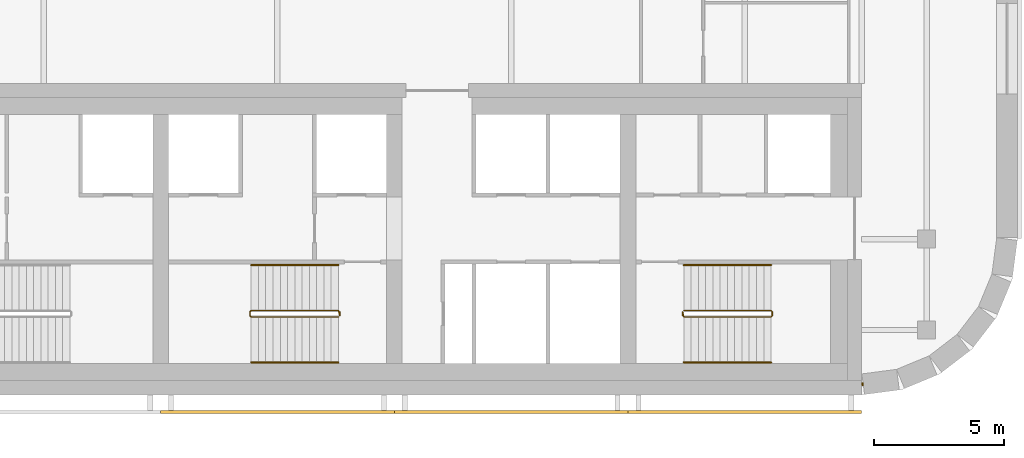
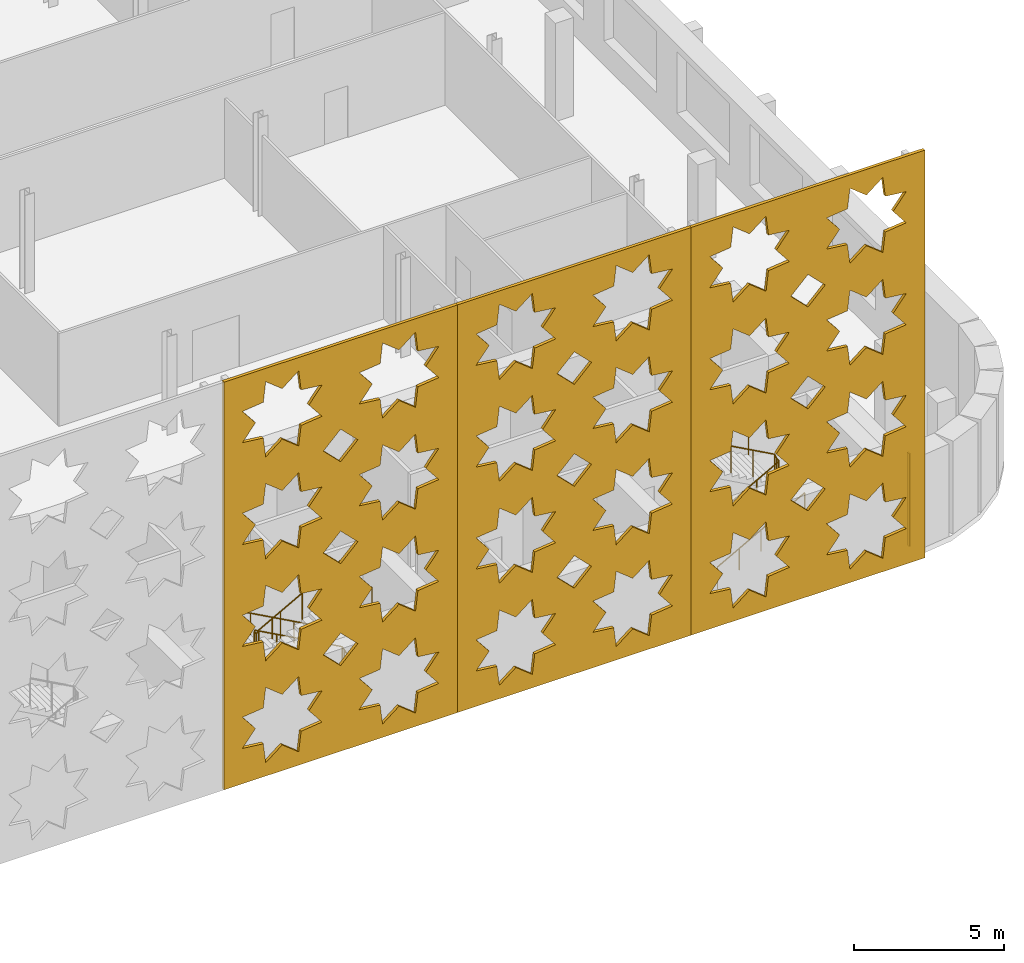
# One storey, part 13 of 14: 6 railings, 4 coverings.
"""IFC4 building model written with IfcOpenShell, lengths in metres."""

from ifc_helpers import new_model, si_unit, direction, frame, origin, origin_2d, place, context, subcontext, project, spatial, polyline, rectangle, circle, outline, extrude, material, layer, layer_set, type_object, element, save


model = new_model("IFC4")

# Units and contexts
model_context = context("Model", 3, precision=1e-05, world=origin(), true_north=direction((0.0, 1.0)))
body_context = subcontext(model_context, "Body", "Model", "MODEL_VIEW")
ifc_project = project(units=[si_unit("LENGTHUNIT", "METRE"), si_unit("AREAUNIT", "SQUARE_METRE"), si_unit("VOLUMEUNIT", "CUBIC_METRE"), si_unit("PLANEANGLEUNIT", "RADIAN"), si_unit("MASSUNIT", "GRAM", prefix="KILO")], contexts=[model_context])

# Site, building, storey
site_placement = place(None, origin())
site = spatial("IfcSite", under=ifc_project, at=site_placement, CompositionType="ELEMENT")
building_placement = place(site_placement, origin())
building = spatial("IfcBuilding", under=site, at=building_placement, Name="Zellij Exchange Tower", CompositionType="ELEMENT")
storey_placement = place(building_placement, frame((0.0, 0.0, 288.5)))
storey = spatial("IfcBuildingStorey", under=building, at=storey_placement, Name="L68", CompositionType="ELEMENT", Elevation=288.5)

# Railings
ifc_material_1 = material(Name="Stainless steel", Category="steel")
railing_type_1 = type_object("IfcRailingType", Name="CORE-RG stair guard", PredefinedType="GUARDRAIL", material=ifc_material_1)
railing_1_placement = place(storey_placement, frame((6.89990234375, -10.800048828125, 0.0)))
element("IfcRailing", 1, at=railing_1_placement, inside=storey, type_object=railing_type_1, Name="ST3 stair guard L68", PredefinedType="GUARDRAIL", context=body_context, shape_type="SweptSolid", body=[
    extrude(circle(Radius=0.02392578125, at=origin_2d()), frame((0.0, 0.0, 1.076171875), z_axis=(0.0, -1.0, 0.0), x_axis=(1.0, 0.0, 0.0)), (0.0, 0.0, 1.0), 0.14990234375),
    extrude(circle(Radius=0.02392578125, at=origin_2d()), frame((0.0, -0.14990234375, 1.076171875), z_axis=(-0.193691321961, 0.777613689637, 0.598164376644), x_axis=(-0.970351222016, -0.241699205484, 0.0)), (0.0, 0.0, 1.0), 0.257080078125),
    extrude(circle(Radius=0.02392578125, at=origin_2d()), frame((-0.0498046875, 0.050048828125, 1.22998046875), z_axis=(-0.876421534553, 0.0, 0.481544695509), x_axis=(0.0, -1.0, 0.0)), (0.0, 0.0, 1.0), 3.833984375),
    extrude(circle(Radius=0.02392578125, at=origin_2d()), frame((-3.409912109375, 0.050048828125, 3.076171875), z_axis=(-0.707106781187, -0.707106781187, 0.0), x_axis=(0.707106781187, -0.707106781187, 0.0)), (0.0, 0.0, 1.0), 0.07080078125),
    extrude(circle(Radius=0.02392578125, at=origin_2d()), frame((-3.4599609375, 0.0, 3.076171875), z_axis=(0.0, -1.0, 0.0), x_axis=(1.0, 0.0, 0.0)), (0.0, 0.0, 1.0), 0.14990234375),
    extrude(circle(Radius=0.02392578125, at=origin_2d()), frame((-3.4599609375, -0.14990234375, 3.076171875), z_axis=(0.295599637079, -0.295599637079, 0.908428152975), x_axis=(0.707106781187, 0.707106781187, 0.0)), (0.0, 0.0, 1.0), 0.16943359375),
    extrude(circle(Radius=0.02392578125, at=origin_2d()), frame((-3.409912109375, -0.199951171875, 3.22998046875), z_axis=(0.876421534553, 0.0, 0.481544695509), x_axis=(0.0, 1.0, 0.0)), (0.0, 0.0, 1.0), 3.833984375),
    extrude(circle(Radius=0.02099609375, at=origin_2d()), origin(), (0.0, 0.0, 1.0), 1.052001953125),
    extrude(circle(Radius=0.02099609375, at=origin_2d()), frame((0.0, -0.14990234375, 0.0)), (0.0, 0.0, 1.0), 1.052001953125),
    extrude(circle(Radius=0.02099609375, at=origin_2d()), frame((-0.0498046875, 0.050048828125, 0.15380859375)), (0.0, 0.0, 1.0), 1.052001953125),
    extrude(circle(Radius=0.02099609375, at=origin_2d()), frame((-0.889892578125, 0.050048828125, 0.615234375)), (0.0, 0.0, 1.0), 1.052001953125),
    extrude(circle(Radius=0.02099609375, at=origin_2d()), frame((-1.72998046875, 0.050048828125, 1.076904296875)), (0.0, 0.0, 1.0), 1.052001953125),
    extrude(circle(Radius=0.02099609375, at=origin_2d()), frame((-2.56982421875, 0.050048828125, 1.53857421875)), (0.0, 0.0, 1.0), 1.052001953125),
    extrude(circle(Radius=0.02099609375, at=origin_2d()), frame((-3.409912109375, 0.050048828125, 2.0)), (0.0, 0.0, 1.0), 1.052001953125),
    extrude(circle(Radius=0.02099609375, at=origin_2d()), frame((-3.4599609375, 0.0, 2.0)), (0.0, 0.0, 1.0), 1.052001953125),
    extrude(circle(Radius=0.02099609375, at=origin_2d()), frame((-3.4599609375, -0.14990234375, 2.0)), (0.0, 0.0, 1.0), 1.052001953125),
    extrude(circle(Radius=0.02099609375, at=origin_2d()), frame((-3.409912109375, -0.199951171875, 2.15380859375)), (0.0, 0.0, 1.0), 1.052001953125),
    extrude(circle(Radius=0.02099609375, at=origin_2d()), frame((-2.56982421875, -0.199951171875, 2.615234375)), (0.0, 0.0, 1.0), 1.052001953125),
    extrude(circle(Radius=0.02099609375, at=origin_2d()), frame((-1.72998046875, -0.199951171875, 3.076904296875)), (0.0, 0.0, 1.0), 1.052001953125),
    extrude(circle(Radius=0.02099609375, at=origin_2d()), frame((-0.889892578125, -0.199951171875, 3.53857421875)), (0.0, 0.0, 1.0), 1.052001953125),
    extrude(circle(Radius=0.02099609375, at=origin_2d()), frame((-0.0498046875, -0.199951171875, 4.0)), (0.0, 0.0, 1.0), 1.052001953125),
])
railing_2_placement = place(storey_placement, frame((20.10009765625, -10.949951171875, 0.0)))
element("IfcRailing", 2, at=railing_2_placement, inside=storey, type_object=railing_type_1, Name="ST4 stair guard L68", PredefinedType="GUARDRAIL", context=body_context, shape_type="SweptSolid", body=[
    extrude(circle(Radius=0.02392578125, at=origin_2d()), frame((0.0, 0.0, 1.076171875), z_axis=(0.0, 1.0, 0.0), x_axis=(-1.0, 0.0, 0.0)), (0.0, 0.0, 1.0), 0.14990234375),
    extrude(circle(Radius=0.02392578125, at=origin_2d()), frame((0.0, 0.14990234375, 1.076171875), z_axis=(0.193691321961, -0.777613689637, 0.598164376644), x_axis=(0.970351222016, 0.241699205484, 0.0)), (0.0, 0.0, 1.0), 0.257080078125),
    extrude(circle(Radius=0.02392578125, at=origin_2d()), frame((0.0498046875, -0.050048828125, 1.22998046875), z_axis=(0.876421534553, 0.0, 0.481544695509), x_axis=(0.0, 1.0, 0.0)), (0.0, 0.0, 1.0), 3.833984375),
    extrude(circle(Radius=0.02392578125, at=origin_2d()), frame((3.409912109375, -0.050048828125, 3.076171875), z_axis=(0.707106781187, 0.707106781187, 0.0), x_axis=(-0.707106781187, 0.707106781187, 0.0)), (0.0, 0.0, 1.0), 0.07080078125),
    extrude(circle(Radius=0.02392578125, at=origin_2d()), frame((3.4599609375, 0.0, 3.076171875), z_axis=(0.0, 1.0, 0.0), x_axis=(-1.0, 0.0, 0.0)), (0.0, 0.0, 1.0), 0.14990234375),
    extrude(circle(Radius=0.02392578125, at=origin_2d()), frame((3.4599609375, 0.14990234375, 3.076171875), z_axis=(-0.295599637079, 0.295599637079, 0.908428152975), x_axis=(-0.707106781187, -0.707106781187, 0.0)), (0.0, 0.0, 1.0), 0.16943359375),
    extrude(circle(Radius=0.02392578125, at=origin_2d()), frame((3.409912109375, 0.199951171875, 3.22998046875), z_axis=(-0.876421534553, 0.0, 0.481544695509), x_axis=(0.0, -1.0, 0.0)), (0.0, 0.0, 1.0), 3.833984375),
    extrude(circle(Radius=0.02099609375, at=origin_2d()), origin(), (0.0, 0.0, 1.0), 1.052001953125),
    extrude(circle(Radius=0.02099609375, at=origin_2d()), frame((0.0, 0.14990234375, 0.0)), (0.0, 0.0, 1.0), 1.052001953125),
    extrude(circle(Radius=0.02099609375, at=origin_2d()), frame((0.0498046875, -0.050048828125, 0.15380859375)), (0.0, 0.0, 1.0), 1.052001953125),
    extrude(circle(Radius=0.02099609375, at=origin_2d()), frame((0.889892578125, -0.050048828125, 0.615234375)), (0.0, 0.0, 1.0), 1.052001953125),
    extrude(circle(Radius=0.02099609375, at=origin_2d()), frame((1.72998046875, -0.050048828125, 1.076904296875)), (0.0, 0.0, 1.0), 1.052001953125),
    extrude(circle(Radius=0.02099609375, at=origin_2d()), frame((2.56982421875, -0.050048828125, 1.53857421875)), (0.0, 0.0, 1.0), 1.052001953125),
    extrude(circle(Radius=0.02099609375, at=origin_2d()), frame((3.409912109375, -0.050048828125, 2.0)), (0.0, 0.0, 1.0), 1.052001953125),
    extrude(circle(Radius=0.02099609375, at=origin_2d()), frame((3.4599609375, 0.0, 2.0)), (0.0, 0.0, 1.0), 1.052001953125),
    extrude(circle(Radius=0.02099609375, at=origin_2d()), frame((3.4599609375, 0.14990234375, 2.0)), (0.0, 0.0, 1.0), 1.052001953125),
    extrude(circle(Radius=0.02099609375, at=origin_2d()), frame((3.409912109375, 0.199951171875, 2.15380859375)), (0.0, 0.0, 1.0), 1.052001953125),
    extrude(circle(Radius=0.02099609375, at=origin_2d()), frame((2.56982421875, 0.199951171875, 2.615234375)), (0.0, 0.0, 1.0), 1.052001953125),
    extrude(circle(Radius=0.02099609375, at=origin_2d()), frame((1.72998046875, 0.199951171875, 3.076904296875)), (0.0, 0.0, 1.0), 1.052001953125),
    extrude(circle(Radius=0.02099609375, at=origin_2d()), frame((0.889892578125, 0.199951171875, 3.53857421875)), (0.0, 0.0, 1.0), 1.052001953125),
    extrude(circle(Radius=0.02099609375, at=origin_2d()), frame((0.0498046875, 0.199951171875, 4.0)), (0.0, 0.0, 1.0), 1.052001953125),
])
railing_type_2 = type_object("IfcRailingType", Name="CORE-RH stair handrail", PredefinedType="HANDRAIL", material=ifc_material_1)
railing_3_placement = place(storey_placement, frame((6.85009765625, -9.0, 0.15380859375)))
element("IfcRailing", 3, at=railing_3_placement, inside=storey, type_object=railing_type_2, Name="ST3 stair handrail L68", PredefinedType="HANDRAIL", context=body_context, shape_type="SweptSolid", body=[
    extrude(circle(Radius=0.02392578125, at=origin_2d()), frame((0.0, 0.0, 0.8759765625), z_axis=(-0.876421534553, 0.0, 0.481544695509), x_axis=(0.0, -1.0, 0.0)), (0.0, 0.0, 1.0), 3.833984375),
    extrude(circle(Radius=0.02099609375, at=origin_2d()), origin(), (0.0, 0.0, 1.0), 0.851806640625),
    extrude(circle(Radius=0.02099609375, at=origin_2d()), frame((-0.840087890625, 0.0, 0.46142578125)), (0.0, 0.0, 1.0), 0.851806640625),
    extrude(circle(Radius=0.02099609375, at=origin_2d()), frame((-1.68017578125, 0.0, 0.923095703125)), (0.0, 0.0, 1.0), 0.851806640625),
    extrude(circle(Radius=0.02099609375, at=origin_2d()), frame((-2.52001953125, 0.0, 1.384765625)), (0.0, 0.0, 1.0), 0.851806640625),
    extrude(circle(Radius=0.02099609375, at=origin_2d()), frame((-3.360107421875, 0.0, 1.84619140625)), (0.0, 0.0, 1.0), 0.851806640625),
])
for number, where, name in (
    (4, (3.489990234375, -12.75, 2.15380859375), "ST3 stair handrail L68"),
    (5, (20.14990234375, -12.75, 0.15380859375), "ST4 stair handrail L68"),
):
    element("IfcRailing", number, at=place(storey_placement, frame(where)), inside=storey, type_object=railing_type_2, Name=name, PredefinedType="HANDRAIL", context=body_context, shape_type="SweptSolid", body=[
        extrude(circle(Radius=0.02392578125, at=origin_2d()), frame((0.0, 0.0, 0.8759765625), z_axis=(0.876421534553, 0.0, 0.481544695509), x_axis=(0.0, 1.0, 0.0)), (0.0, 0.0, 1.0), 3.833984375),
        extrude(circle(Radius=0.02099609375, at=origin_2d()), origin(), (0.0, 0.0, 1.0), 0.851806640625),
        extrude(circle(Radius=0.02099609375, at=origin_2d()), frame((0.840087890625, 0.0, 0.46142578125)), (0.0, 0.0, 1.0), 0.851806640625),
        extrude(circle(Radius=0.02099609375, at=origin_2d()), frame((1.68017578125, 0.0, 0.923095703125)), (0.0, 0.0, 1.0), 0.851806640625),
        extrude(circle(Radius=0.02099609375, at=origin_2d()), frame((2.52001953125, 0.0, 1.384765625)), (0.0, 0.0, 1.0), 0.851806640625),
        extrude(circle(Radius=0.02099609375, at=origin_2d()), frame((3.360107421875, 0.0, 1.84619140625)), (0.0, 0.0, 1.0), 0.851806640625),
    ])
railing_4_placement = place(storey_placement, frame((23.510009765625, -9.0, 2.15380859375)))
element("IfcRailing", 6, at=railing_4_placement, inside=storey, type_object=railing_type_2, Name="ST4 stair handrail L68", PredefinedType="HANDRAIL", context=body_context, shape_type="SweptSolid", body=[
    extrude(circle(Radius=0.02392578125, at=origin_2d()), frame((0.0, 0.0, 0.8759765625), z_axis=(-0.876421534553, 0.0, 0.481544695509), x_axis=(0.0, -1.0, 0.0)), (0.0, 0.0, 1.0), 3.833984375),
    extrude(circle(Radius=0.02099609375, at=origin_2d()), origin(), (0.0, 0.0, 1.0), 0.851806640625),
    extrude(circle(Radius=0.02099609375, at=origin_2d()), frame((-0.840087890625, 0.0, 0.46142578125)), (0.0, 0.0, 1.0), 0.851806640625),
    extrude(circle(Radius=0.02099609375, at=origin_2d()), frame((-1.68017578125, 0.0, 0.923095703125)), (0.0, 0.0, 1.0), 0.851806640625),
    extrude(circle(Radius=0.02099609375, at=origin_2d()), frame((-2.52001953125, 0.0, 1.384765625)), (0.0, 0.0, 1.0), 0.851806640625),
    extrude(circle(Radius=0.02099609375, at=origin_2d()), frame((-3.360107421875, 0.0, 1.84619140625)), (0.0, 0.0, 1.0), 0.851806640625),
])

# Coverings
ifc_material_2 = material(Name="Limestone cladding", Category="masonry")
ifc_layer_1 = layer(ifc_material_2, 0.1201171875)
ifc_layer_set_1 = layer_set([ifc_layer_1], Name="Limestone cladding")
covering_type_1 = type_object("IfcCoveringType", Name="ENV-CV18 Glazing closer 120", PredefinedType="CLADDING", material=ifc_layer_set_1)
covering_1_placement = place(storey_placement, frame((27.033447265625, -13.592041015625, 0.0), z_axis=(0.0, 0.0, 1.0), x_axis=(-0.991448505966, -0.130498505806, 0.0)))
element("IfcCovering", 7, at=covering_1_placement, inside=storey, type_object=covering_type_1, Name="Glazing closer", PredefinedType="CLADDING", context=body_context, shape_type="SweptSolid", body=[
    extrude(rectangle(XDim=0.052001953125, YDim=0.1201171875, at=origin_2d()), origin(), (0.0, 0.0, 1.0), 3.780029296875),
])
ifc_material_3 = material(Name="Limestone screen", Category="masonry")
ifc_layer_2 = layer(ifc_material_3, 0.1201171875)
ifc_layer_set_2 = layer_set([ifc_layer_2], Name="Limestone screen")
covering_type_2 = type_object("IfcCoveringType", Name="ENV-SC5 Pierced stone relief 120", PredefinedType="USERDEFINED", material=ifc_layer_set_2)
covering_2_placement = place(storey_placement, frame((0.0, -14.659912109375, 0.199951171875), z_axis=(0.0, 0.0, 1.0), x_axis=(1.0, 0.0, 0.0)))
element("IfcCovering", 8, at=covering_2_placement, inside=storey, type_object=covering_type_2, Name="Pierced stone relief", ObjectType="SCREEN", PredefinedType="USERDEFINED", context=body_context, shape_type="SweptSolid", body=[
    extrude(outline(polyline([(0.0, 0.0), (9.0, 0.0), (9.0, 16.60009765625), (0.0, 16.60009765625), (0.0, 0.0)]), holes=[polyline([(3.78369140625, 2.710205078125), (2.977783203125, 2.802734375), (2.88525390625, 3.608642578125), (2.25, 3.104248046875), (1.61474609375, 3.608642578125), (1.522216796875, 2.802734375), (0.71630859375, 2.710205078125), (1.220703125, 2.074951171875), (0.71630859375, 1.439697265625), (1.522216796875, 1.34716796875), (1.61474609375, 0.54150390625), (2.25, 1.0458984375), (2.88525390625, 0.54150390625), (2.977783203125, 1.34716796875), (3.78369140625, 1.439697265625), (3.279296875, 2.074951171875), (3.78369140625, 2.710205078125)]), polyline([(3.78369140625, 6.8603515625), (2.977783203125, 6.952880859375), (2.88525390625, 7.758544921875), (2.25, 7.254150390625), (1.61474609375, 7.758544921875), (1.522216796875, 6.952880859375), (0.71630859375, 6.8603515625), (1.220703125, 6.22509765625), (0.71630859375, 5.589599609375), (1.522216796875, 5.497314453125), (1.61474609375, 4.69140625), (2.25, 5.19580078125), (2.88525390625, 4.69140625), (2.977783203125, 5.497314453125), (3.78369140625, 5.589599609375), (3.279296875, 6.22509765625), (3.78369140625, 6.8603515625)]), polyline([(3.78369140625, 11.01025390625), (2.977783203125, 11.102783203125), (2.88525390625, 11.90869140625), (2.25, 11.404296875), (1.61474609375, 11.90869140625), (1.522216796875, 11.102783203125), (0.71630859375, 11.01025390625), (1.220703125, 10.375), (0.71630859375, 9.73974609375), (1.522216796875, 9.647216796875), (1.61474609375, 8.84130859375), (2.25, 9.345703125), (2.88525390625, 8.84130859375), (2.977783203125, 9.647216796875), (3.78369140625, 9.73974609375), (3.279296875, 10.375), (3.78369140625, 11.01025390625)]), polyline([(3.78369140625, 15.160400390625), (2.977783203125, 15.252685546875), (2.88525390625, 16.05859375), (2.25, 15.55419921875), (1.61474609375, 16.05859375), (1.522216796875, 15.252685546875), (0.71630859375, 15.160400390625), (1.220703125, 14.52490234375), (0.71630859375, 13.8896484375), (1.522216796875, 13.797119140625), (1.61474609375, 12.991455078125), (2.25, 13.495849609375), (2.88525390625, 12.991455078125), (2.977783203125, 13.797119140625), (3.78369140625, 13.8896484375), (3.279296875, 14.52490234375), (3.78369140625, 15.160400390625)]), polyline([(8.28369140625, 2.710205078125), (7.477783203125, 2.802734375), (7.38525390625, 3.608642578125), (6.75, 3.104248046875), (6.11474609375, 3.608642578125), (6.022216796875, 2.802734375), (5.21630859375, 2.710205078125), (5.720703125, 2.074951171875), (5.21630859375, 1.439697265625), (6.022216796875, 1.34716796875), (6.11474609375, 0.54150390625), (6.75, 1.0458984375), (7.38525390625, 0.54150390625), (7.477783203125, 1.34716796875), (8.28369140625, 1.439697265625), (7.779296875, 2.074951171875), (8.28369140625, 2.710205078125)]), polyline([(8.28369140625, 6.8603515625), (7.477783203125, 6.952880859375), (7.38525390625, 7.758544921875), (6.75, 7.254150390625), (6.11474609375, 7.758544921875), (6.022216796875, 6.952880859375), (5.21630859375, 6.8603515625), (5.720703125, 6.22509765625), (5.21630859375, 5.589599609375), (6.022216796875, 5.497314453125), (6.11474609375, 4.69140625), (6.75, 5.19580078125), (7.38525390625, 4.69140625), (7.477783203125, 5.497314453125), (8.28369140625, 5.589599609375), (7.779296875, 6.22509765625), (8.28369140625, 6.8603515625)]), polyline([(8.28369140625, 11.01025390625), (7.477783203125, 11.102783203125), (7.38525390625, 11.90869140625), (6.75, 11.404296875), (6.11474609375, 11.90869140625), (6.022216796875, 11.102783203125), (5.21630859375, 11.01025390625), (5.720703125, 10.375), (5.21630859375, 9.73974609375), (6.022216796875, 9.647216796875), (6.11474609375, 8.84130859375), (6.75, 9.345703125), (7.38525390625, 8.84130859375), (7.477783203125, 9.647216796875), (8.28369140625, 9.73974609375), (7.779296875, 10.375), (8.28369140625, 11.01025390625)]), polyline([(8.28369140625, 15.160400390625), (7.477783203125, 15.252685546875), (7.38525390625, 16.05859375), (6.75, 15.55419921875), (6.11474609375, 16.05859375), (6.022216796875, 15.252685546875), (5.21630859375, 15.160400390625), (5.720703125, 14.52490234375), (5.21630859375, 13.8896484375), (6.022216796875, 13.797119140625), (6.11474609375, 12.991455078125), (6.75, 13.495849609375), (7.38525390625, 12.991455078125), (7.477783203125, 13.797119140625), (8.28369140625, 13.8896484375), (7.779296875, 14.52490234375), (8.28369140625, 15.160400390625)]), polyline([(5.1640625, 4.14990234375), (4.5, 4.81396484375), (3.8359375, 4.14990234375), (4.5, 3.486083984375), (5.1640625, 4.14990234375)]), polyline([(5.1640625, 8.300048828125), (4.5, 8.964111328125), (3.8359375, 8.300048828125), (4.5, 7.635986328125), (5.1640625, 8.300048828125)]), polyline([(5.1640625, 12.449951171875), (4.5, 13.114013671875), (3.8359375, 12.449951171875), (4.5, 11.785888671875), (5.1640625, 12.449951171875)])]), frame((0.0, 0.06005859375, 0.0), z_axis=(0.0, -1.0, 0.0), x_axis=(1.0, 0.0, 0.0)), (0.0, 0.0, 1.0), 0.1201171875),
])
covering_3_placement = place(storey_placement, frame((9.0, -14.659912109375, 0.199951171875), z_axis=(0.0, 0.0, 1.0), x_axis=(1.0, 0.0, 0.0)))
element("IfcCovering", 9, at=covering_3_placement, inside=storey, type_object=covering_type_2, Name="Pierced stone relief", ObjectType="SCREEN", PredefinedType="USERDEFINED", context=body_context, shape_type="SweptSolid", body=[
    extrude(outline(polyline([(0.0, 0.0), (9.0, 0.0), (9.0, 16.60009765625), (0.0, 16.60009765625), (0.0, 0.0)]), holes=[polyline([(3.78369140625, 2.710205078125), (2.977783203125, 2.802734375), (2.88525390625, 3.608642578125), (2.25, 3.104248046875), (1.61474609375, 3.608642578125), (1.522216796875, 2.802734375), (0.71630859375, 2.710205078125), (1.220703125, 2.074951171875), (0.71630859375, 1.439697265625), (1.522216796875, 1.34716796875), (1.61474609375, 0.54150390625), (2.25, 1.0458984375), (2.88525390625, 0.54150390625), (2.977783203125, 1.34716796875), (3.78369140625, 1.439697265625), (3.279296875, 2.074951171875), (3.78369140625, 2.710205078125)]), polyline([(3.78369140625, 6.8603515625), (2.977783203125, 6.952880859375), (2.88525390625, 7.758544921875), (2.25, 7.254150390625), (1.61474609375, 7.758544921875), (1.522216796875, 6.952880859375), (0.71630859375, 6.8603515625), (1.220703125, 6.22509765625), (0.71630859375, 5.589599609375), (1.522216796875, 5.497314453125), (1.61474609375, 4.69140625), (2.25, 5.19580078125), (2.88525390625, 4.69140625), (2.977783203125, 5.497314453125), (3.78369140625, 5.589599609375), (3.279296875, 6.22509765625), (3.78369140625, 6.8603515625)]), polyline([(3.78369140625, 11.01025390625), (2.977783203125, 11.102783203125), (2.88525390625, 11.90869140625), (2.25, 11.404296875), (1.61474609375, 11.90869140625), (1.522216796875, 11.102783203125), (0.71630859375, 11.01025390625), (1.220703125, 10.375), (0.71630859375, 9.73974609375), (1.522216796875, 9.647216796875), (1.61474609375, 8.84130859375), (2.25, 9.345703125), (2.88525390625, 8.84130859375), (2.977783203125, 9.647216796875), (3.78369140625, 9.73974609375), (3.279296875, 10.375), (3.78369140625, 11.01025390625)]), polyline([(3.78369140625, 15.160400390625), (2.977783203125, 15.252685546875), (2.88525390625, 16.05859375), (2.25, 15.55419921875), (1.61474609375, 16.05859375), (1.522216796875, 15.252685546875), (0.71630859375, 15.160400390625), (1.220703125, 14.52490234375), (0.71630859375, 13.8896484375), (1.522216796875, 13.797119140625), (1.61474609375, 12.991455078125), (2.25, 13.495849609375), (2.88525390625, 12.991455078125), (2.977783203125, 13.797119140625), (3.78369140625, 13.8896484375), (3.279296875, 14.52490234375), (3.78369140625, 15.160400390625)]), polyline([(8.28369140625, 2.710205078125), (7.477783203125, 2.802734375), (7.38525390625, 3.608642578125), (6.75, 3.104248046875), (6.11474609375, 3.608642578125), (6.022216796875, 2.802734375), (5.21630859375, 2.710205078125), (5.720703125, 2.074951171875), (5.21630859375, 1.439697265625), (6.022216796875, 1.34716796875), (6.11474609375, 0.54150390625), (6.75, 1.0458984375), (7.38525390625, 0.54150390625), (7.477783203125, 1.34716796875), (8.28369140625, 1.439697265625), (7.779296875, 2.074951171875), (8.28369140625, 2.710205078125)]), polyline([(8.28369140625, 6.8603515625), (7.477783203125, 6.952880859375), (7.38525390625, 7.758544921875), (6.75, 7.254150390625), (6.11474609375, 7.758544921875), (6.022216796875, 6.952880859375), (5.21630859375, 6.8603515625), (5.720703125, 6.22509765625), (5.21630859375, 5.589599609375), (6.022216796875, 5.497314453125), (6.11474609375, 4.69140625), (6.75, 5.19580078125), (7.38525390625, 4.69140625), (7.477783203125, 5.497314453125), (8.28369140625, 5.589599609375), (7.779296875, 6.22509765625), (8.28369140625, 6.8603515625)]), polyline([(8.28369140625, 11.01025390625), (7.477783203125, 11.102783203125), (7.38525390625, 11.90869140625), (6.75, 11.404296875), (6.11474609375, 11.90869140625), (6.022216796875, 11.102783203125), (5.21630859375, 11.01025390625), (5.720703125, 10.375), (5.21630859375, 9.73974609375), (6.022216796875, 9.647216796875), (6.11474609375, 8.84130859375), (6.75, 9.345703125), (7.38525390625, 8.84130859375), (7.477783203125, 9.647216796875), (8.28369140625, 9.73974609375), (7.779296875, 10.375), (8.28369140625, 11.01025390625)]), polyline([(8.28369140625, 15.160400390625), (7.477783203125, 15.252685546875), (7.38525390625, 16.05859375), (6.75, 15.55419921875), (6.11474609375, 16.05859375), (6.022216796875, 15.252685546875), (5.21630859375, 15.160400390625), (5.720703125, 14.52490234375), (5.21630859375, 13.8896484375), (6.022216796875, 13.797119140625), (6.11474609375, 12.991455078125), (6.75, 13.495849609375), (7.38525390625, 12.991455078125), (7.477783203125, 13.797119140625), (8.28369140625, 13.8896484375), (7.779296875, 14.52490234375), (8.28369140625, 15.160400390625)]), polyline([(5.1640625, 4.14990234375), (4.5, 4.81396484375), (3.8359375, 4.14990234375), (4.5, 3.486083984375), (5.1640625, 4.14990234375)]), polyline([(5.1640625, 8.300048828125), (4.5, 8.964111328125), (3.8359375, 8.300048828125), (4.5, 7.635986328125), (5.1640625, 8.300048828125)]), polyline([(5.1640625, 12.449951171875), (4.5, 13.114013671875), (3.8359375, 12.449951171875), (4.5, 11.785888671875), (5.1640625, 12.449951171875)])]), frame((0.0, 0.06005859375, 0.0), z_axis=(0.0, -1.0, 0.0), x_axis=(1.0, 0.0, 0.0)), (0.0, 0.0, 1.0), 0.1201171875),
])
covering_4_placement = place(storey_placement, frame((18.0, -14.659912109375, 0.199951171875), z_axis=(0.0, 0.0, 1.0), x_axis=(1.0, 0.0, 0.0)))
element("IfcCovering", 10, at=covering_4_placement, inside=storey, type_object=covering_type_2, Name="Pierced stone relief", ObjectType="SCREEN", PredefinedType="USERDEFINED", context=body_context, shape_type="SweptSolid", body=[
    extrude(outline(polyline([(0.0, 0.0), (9.0, 0.0), (9.0, 16.60009765625), (0.0, 16.60009765625), (0.0, 0.0)]), holes=[polyline([(3.78369140625, 2.710205078125), (2.977783203125, 2.802734375), (2.88525390625, 3.608642578125), (2.25, 3.104248046875), (1.61474609375, 3.608642578125), (1.522216796875, 2.802734375), (0.71630859375, 2.710205078125), (1.220703125, 2.074951171875), (0.71630859375, 1.439697265625), (1.522216796875, 1.34716796875), (1.61474609375, 0.54150390625), (2.25, 1.0458984375), (2.88525390625, 0.54150390625), (2.977783203125, 1.34716796875), (3.78369140625, 1.439697265625), (3.279296875, 2.074951171875), (3.78369140625, 2.710205078125)]), polyline([(3.78369140625, 6.8603515625), (2.977783203125, 6.952880859375), (2.88525390625, 7.758544921875), (2.25, 7.254150390625), (1.61474609375, 7.758544921875), (1.522216796875, 6.952880859375), (0.71630859375, 6.8603515625), (1.220703125, 6.22509765625), (0.71630859375, 5.589599609375), (1.522216796875, 5.497314453125), (1.61474609375, 4.69140625), (2.25, 5.19580078125), (2.88525390625, 4.69140625), (2.977783203125, 5.497314453125), (3.78369140625, 5.589599609375), (3.279296875, 6.22509765625), (3.78369140625, 6.8603515625)]), polyline([(3.78369140625, 11.01025390625), (2.977783203125, 11.102783203125), (2.88525390625, 11.90869140625), (2.25, 11.404296875), (1.61474609375, 11.90869140625), (1.522216796875, 11.102783203125), (0.71630859375, 11.01025390625), (1.220703125, 10.375), (0.71630859375, 9.73974609375), (1.522216796875, 9.647216796875), (1.61474609375, 8.84130859375), (2.25, 9.345703125), (2.88525390625, 8.84130859375), (2.977783203125, 9.647216796875), (3.78369140625, 9.73974609375), (3.279296875, 10.375), (3.78369140625, 11.01025390625)]), polyline([(3.78369140625, 15.160400390625), (2.977783203125, 15.252685546875), (2.88525390625, 16.05859375), (2.25, 15.55419921875), (1.61474609375, 16.05859375), (1.522216796875, 15.252685546875), (0.71630859375, 15.160400390625), (1.220703125, 14.52490234375), (0.71630859375, 13.8896484375), (1.522216796875, 13.797119140625), (1.61474609375, 12.991455078125), (2.25, 13.495849609375), (2.88525390625, 12.991455078125), (2.977783203125, 13.797119140625), (3.78369140625, 13.8896484375), (3.279296875, 14.52490234375), (3.78369140625, 15.160400390625)]), polyline([(8.28369140625, 2.710205078125), (7.477783203125, 2.802734375), (7.38525390625, 3.608642578125), (6.75, 3.104248046875), (6.11474609375, 3.608642578125), (6.022216796875, 2.802734375), (5.21630859375, 2.710205078125), (5.720703125, 2.074951171875), (5.21630859375, 1.439697265625), (6.022216796875, 1.34716796875), (6.11474609375, 0.54150390625), (6.75, 1.0458984375), (7.38525390625, 0.54150390625), (7.477783203125, 1.34716796875), (8.28369140625, 1.439697265625), (7.779296875, 2.074951171875), (8.28369140625, 2.710205078125)]), polyline([(8.28369140625, 6.8603515625), (7.477783203125, 6.952880859375), (7.38525390625, 7.758544921875), (6.75, 7.254150390625), (6.11474609375, 7.758544921875), (6.022216796875, 6.952880859375), (5.21630859375, 6.8603515625), (5.720703125, 6.22509765625), (5.21630859375, 5.589599609375), (6.022216796875, 5.497314453125), (6.11474609375, 4.69140625), (6.75, 5.19580078125), (7.38525390625, 4.69140625), (7.477783203125, 5.497314453125), (8.28369140625, 5.589599609375), (7.779296875, 6.22509765625), (8.28369140625, 6.8603515625)]), polyline([(8.28369140625, 11.01025390625), (7.477783203125, 11.102783203125), (7.38525390625, 11.90869140625), (6.75, 11.404296875), (6.11474609375, 11.90869140625), (6.022216796875, 11.102783203125), (5.21630859375, 11.01025390625), (5.720703125, 10.375), (5.21630859375, 9.73974609375), (6.022216796875, 9.647216796875), (6.11474609375, 8.84130859375), (6.75, 9.345703125), (7.38525390625, 8.84130859375), (7.477783203125, 9.647216796875), (8.28369140625, 9.73974609375), (7.779296875, 10.375), (8.28369140625, 11.01025390625)]), polyline([(8.28369140625, 15.160400390625), (7.477783203125, 15.252685546875), (7.38525390625, 16.05859375), (6.75, 15.55419921875), (6.11474609375, 16.05859375), (6.022216796875, 15.252685546875), (5.21630859375, 15.160400390625), (5.720703125, 14.52490234375), (5.21630859375, 13.8896484375), (6.022216796875, 13.797119140625), (6.11474609375, 12.991455078125), (6.75, 13.495849609375), (7.38525390625, 12.991455078125), (7.477783203125, 13.797119140625), (8.28369140625, 13.8896484375), (7.779296875, 14.52490234375), (8.28369140625, 15.160400390625)]), polyline([(5.1640625, 4.14990234375), (4.5, 4.81396484375), (3.8359375, 4.14990234375), (4.5, 3.486083984375), (5.1640625, 4.14990234375)]), polyline([(5.1640625, 8.300048828125), (4.5, 8.964111328125), (3.8359375, 8.300048828125), (4.5, 7.635986328125), (5.1640625, 8.300048828125)]), polyline([(5.1640625, 12.449951171875), (4.5, 13.114013671875), (3.8359375, 12.449951171875), (4.5, 11.785888671875), (5.1640625, 12.449951171875)])]), frame((0.0, 0.06005859375, 0.0), z_axis=(0.0, -1.0, 0.0), x_axis=(1.0, 0.0, 0.0)), (0.0, 0.0, 1.0), 0.1201171875),
])

save(model, "model.ifc")
